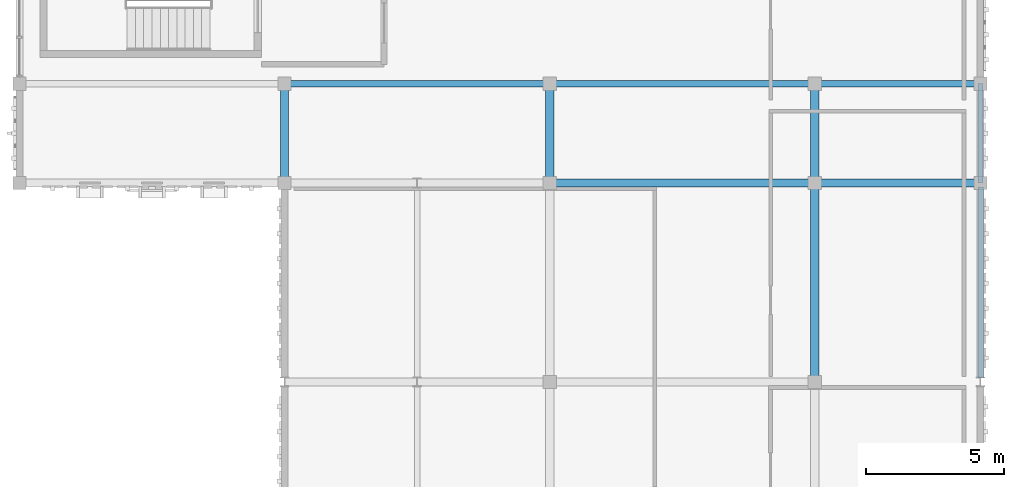
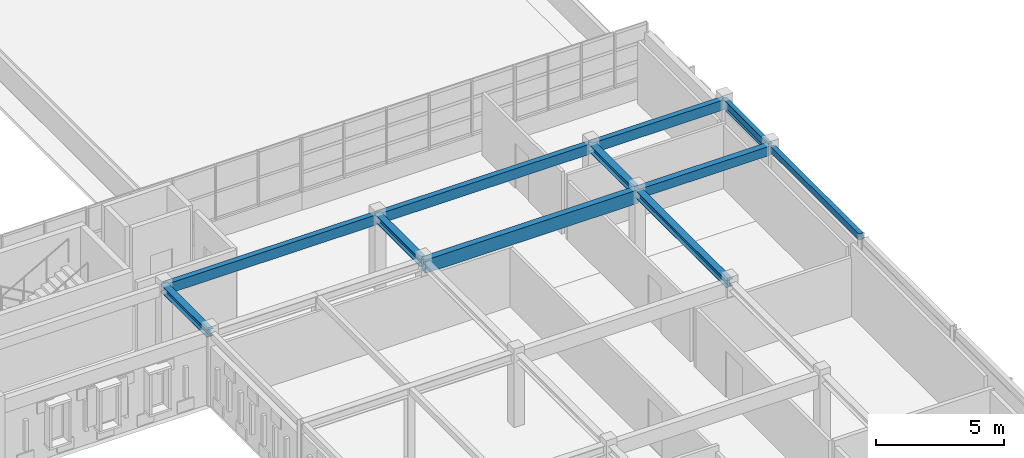
# One storey, part 15 of 53: 11 beams.
"""IFC4 building model written with IfcOpenShell, lengths in metres."""

from ifc_helpers import new_model, si_unit, direction, frame, origin, origin_2d, place, context, subcontext, project, spatial, rectangle, hollow_rectangle, i_section, extrude, material, material_profile, profile_set, type_object, element, save


model = new_model("IFC4")

# Units and contexts
model_context = context("Model", 3, precision=1e-05, world=origin(), true_north=direction((0.0, 1.0)))
body_context = subcontext(model_context, "Body", "Model", "MODEL_VIEW")
ifc_project = project(units=[si_unit("LENGTHUNIT", "METRE"), si_unit("AREAUNIT", "SQUARE_METRE"), si_unit("VOLUMEUNIT", "CUBIC_METRE"), si_unit("PLANEANGLEUNIT", "RADIAN"), si_unit("MASSUNIT", "GRAM", prefix="KILO")], contexts=[model_context])

# Site, building, storey
site_placement = place(None, origin())
site = spatial("IfcSite", under=ifc_project, at=site_placement, CompositionType="ELEMENT")
building_placement = place(site_placement, origin())
building = spatial("IfcBuilding", under=site, at=building_placement, Name="Nzembalo Square Collegiate School", CompositionType="ELEMENT")
storey_placement = place(building_placement, frame((0.0, 0.0, 13.60009765625)))
storey = spatial("IfcBuildingStorey", under=building, at=storey_placement, Name="L03", CompositionType="ELEMENT", Elevation=13.60009765625)

# Beams
ifc_material_1 = material(Name="Glulam GL32h", Category="wood")
ifc_material_profile_1 = material_profile(ifc_material_1, rectangle(XDim=0.280029296875, YDim=0.639892578125, at=origin_2d()), Name="GL32h 280x640")
ifc_profile_set_1 = profile_set([ifc_material_profile_1], Name="Glulam GL32h")
beam_type_1 = type_object("IfcBeamType", Name="B04", PredefinedType="BEAM", material=ifc_profile_set_1)
beam_1_placement = place(storey_placement, frame((150.0, 79.199951171875, 3.135009765625), z_axis=(1.0, 0.0, 0.0), x_axis=(0.0, 1.0, 0.0)))
element("IfcBeam", 1, at=beam_1_placement, inside=storey, type_object=beam_type_1, Name="Beam B04 L03", PredefinedType="BEAM", context=body_context, shape_type="SweptSolid", body=[
    extrude(rectangle(XDim=0.280029296875, YDim=0.639892578125, at=origin_2d()), origin(), (0.0, 0.0, 1.0), 9.60009765625),
])
ifc_material_2 = material(Name="Steel S355", Category="steel")
ifc_material_profile_2 = material_profile(ifc_material_2, i_section(OverallWidth=0.18994140625, OverallDepth=0.449951171875, WebThickness=0.009521484375, FlangeThickness=0.0146484375, at=origin_2d()), Name="IPE 450")
ifc_profile_set_2 = profile_set([ifc_material_profile_2], Name="Steel S355")
beam_type_2 = type_object("IfcBeamType", Name="B09", PredefinedType="BEAM", material=ifc_profile_set_2)
beam_2_placement = place(storey_placement, frame((165.60009765625, 79.199951171875, 3.22998046875), z_axis=(0.0, 1.0, 0.0), x_axis=(-1.0, 0.0, 0.0)))
element("IfcBeam", 2, at=beam_2_placement, inside=storey, type_object=beam_type_2, Name="Beam B09 L03", PredefinedType="BEAM", context=body_context, shape_type="SweptSolid", body=[
    extrude(i_section(OverallWidth=0.18994140625, OverallDepth=0.449951171875, WebThickness=0.009521484375, FlangeThickness=0.0146484375, at=origin_2d()), origin(), (0.0, 0.0, 1.0), 3.60009765625),
])
ifc_material_3 = material(Name="Steel S355", Category="steel")
ifc_material_profile_3 = material_profile(ifc_material_3, i_section(OverallWidth=0.300048828125, OverallDepth=0.35009765625, WebThickness=0.010009765625, FlangeThickness=0.017578125, at=origin_2d()), Name="HEA 360")
ifc_profile_set_3 = profile_set([ifc_material_profile_3], Name="Steel S355")
beam_type_3 = type_object("IfcBeamType", Name="B12", PredefinedType="BEAM", material=ifc_profile_set_3)
for number, where, z_axis, x_axis, name in (
    (3, (140.39990234375, 79.199951171875, 3.27978515625), (0.0, 1.0, 0.0), (-1.0, 0.0, 0.0), "Beam B12 L03"),
    (4, (150.0, 79.199951171875, 3.27978515625), (0.0, 1.0, 0.0), (-1.0, 0.0, 0.0), "Beam B12 L03"),
):
    element("IfcBeam", number, at=place(storey_placement, frame(where, z_axis=z_axis, x_axis=x_axis)), inside=storey, type_object=beam_type_3, Name=name, PredefinedType="BEAM", context=body_context, shape_type="SweptSolid", body=[
        extrude(i_section(OverallWidth=0.300048828125, OverallDepth=0.35009765625, WebThickness=0.010009765625, FlangeThickness=0.017578125, at=origin_2d()), origin(), (0.0, 0.0, 1.0), 3.60009765625),
    ])
beam_3_placement = place(storey_placement, frame((159.60009765625, 72.0, 3.27978515625), z_axis=(0.0, 1.0, 0.0), x_axis=(-1.0, 0.0, 0.0)))
element("IfcBeam", 5, at=beam_3_placement, inside=storey, type_object=beam_type_3, Name="Beam B12 L03", PredefinedType="BEAM", context=body_context, shape_type="SweptSolid", body=[
    extrude(i_section(OverallWidth=0.300048828125, OverallDepth=0.35009765625, WebThickness=0.010009765625, FlangeThickness=0.017578125, at=origin_2d()), origin(), (0.0, 0.0, 1.0), 7.199951171875),
])
beam_4_placement = place(storey_placement, frame((159.60009765625, 79.199951171875, 3.27978515625), z_axis=(0.0, 1.0, 0.0), x_axis=(-1.0, 0.0, 0.0)))
element("IfcBeam", 6, at=beam_4_placement, inside=storey, type_object=beam_type_3, Name="Beam B12 L03", PredefinedType="BEAM", context=body_context, shape_type="SweptSolid", body=[
    extrude(i_section(OverallWidth=0.300048828125, OverallDepth=0.35009765625, WebThickness=0.010009765625, FlangeThickness=0.017578125, at=origin_2d()), origin(), (0.0, 0.0, 1.0), 3.60009765625),
])
ifc_material_4 = material(Name="Glulam GL32h", Category="wood")
ifc_material_profile_4 = material_profile(ifc_material_4, rectangle(XDim=0.280029296875, YDim=0.43994140625, at=origin_2d()), Name="GL32h 280x440")
ifc_profile_set_4 = profile_set([ifc_material_profile_4], Name="Glulam GL32h")
beam_type_4 = type_object("IfcBeamType", Name="B14", PredefinedType="BEAM", material=ifc_profile_set_4)
beam_5_placement = place(storey_placement, frame((159.60009765625, 79.199951171875, 3.23486328125), z_axis=(1.0, 0.0, 0.0), x_axis=(0.0, 1.0, 0.0)))
element("IfcBeam", 7, at=beam_5_placement, inside=storey, type_object=beam_type_4, Name="Beam B14 L03", PredefinedType="BEAM", context=body_context, shape_type="SweptSolid", body=[
    extrude(rectangle(XDim=0.280029296875, YDim=0.43994140625, at=origin_2d()), origin(), (0.0, 0.0, 1.0), 6.0),
])
ifc_material_5 = material(Name="Glulam GL28h", Category="wood")
ifc_material_profile_5 = material_profile(ifc_material_5, rectangle(XDim=0.239990234375, YDim=0.47998046875, at=origin_2d()), Name="GL28h 240x480")
ifc_profile_set_5 = profile_set([ifc_material_profile_5], Name="Glulam GL28h")
beam_type_5 = type_object("IfcBeamType", Name="SP02", PredefinedType="SPANDREL", material=ifc_profile_set_5)
for number, where, z_axis, x_axis, name in (
    (8, (140.39990234375, 82.800048828125, 3.21484375), (1.0, 0.0, 0.0), (0.0, 1.0, 0.0), "Beam SP02 L03"),
    (9, (150.0, 82.800048828125, 3.21484375), (1.0, 0.0, 0.0), (0.0, 1.0, 0.0), "Beam SP02 L03"),
):
    element("IfcBeam", number, at=place(storey_placement, frame(where, z_axis=z_axis, x_axis=x_axis)), inside=storey, type_object=beam_type_5, Name=name, PredefinedType="SPANDREL", context=body_context, shape_type="SweptSolid", body=[
        extrude(rectangle(XDim=0.239990234375, YDim=0.47998046875, at=origin_2d()), origin(), (0.0, 0.0, 1.0), 9.60009765625),
    ])
beam_6_placement = place(storey_placement, frame((159.60009765625, 82.800048828125, 3.21484375), z_axis=(1.0, 0.0, 0.0), x_axis=(0.0, 1.0, 0.0)))
element("IfcBeam", 10, at=beam_6_placement, inside=storey, type_object=beam_type_5, Name="Beam SP02 L03", PredefinedType="SPANDREL", context=body_context, shape_type="SweptSolid", body=[
    extrude(rectangle(XDim=0.239990234375, YDim=0.47998046875, at=origin_2d()), origin(), (0.0, 0.0, 1.0), 6.0),
])
ifc_material_6 = material(Name="Steel S355", Category="steel")
ifc_material_profile_6 = material_profile(ifc_material_6, hollow_rectangle(XDim=0.199951171875, YDim=0.300048828125, WallThickness=0.011962890625, at=origin_2d()), Name="RHS 300x200x12")
ifc_profile_set_6 = profile_set([ifc_material_profile_6], Name="Steel S355")
beam_type_6 = type_object("IfcBeamType", Name="SP03", PredefinedType="SPANDREL", material=ifc_profile_set_6)
beam_7_placement = place(storey_placement, frame((165.60009765625, 72.14990234375, 3.304931640625), z_axis=(0.0, 1.0, 0.0), x_axis=(-1.0, 0.0, 0.0)))
element("IfcBeam", 11, at=beam_7_placement, inside=storey, type_object=beam_type_6, Name="Cantilever edge beam SP03 4B L03", PredefinedType="SPANDREL", context=body_context, shape_type="SweptSolid", body=[
    extrude(hollow_rectangle(XDim=0.199951171875, YDim=0.300048828125, WallThickness=0.011962890625, at=origin_2d()), origin(), (0.0, 0.0, 1.0), 6.900146484375),
])

save(model, "model.ifc")
